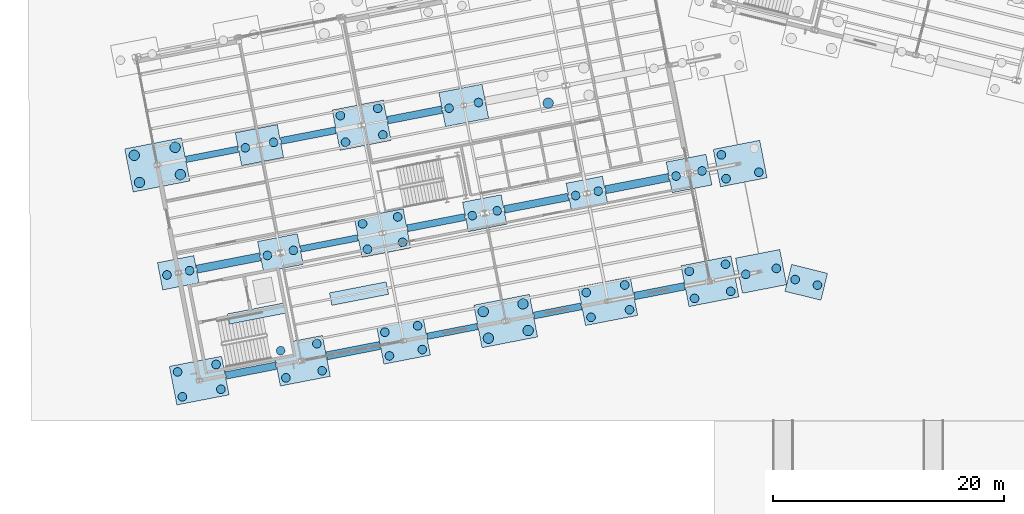
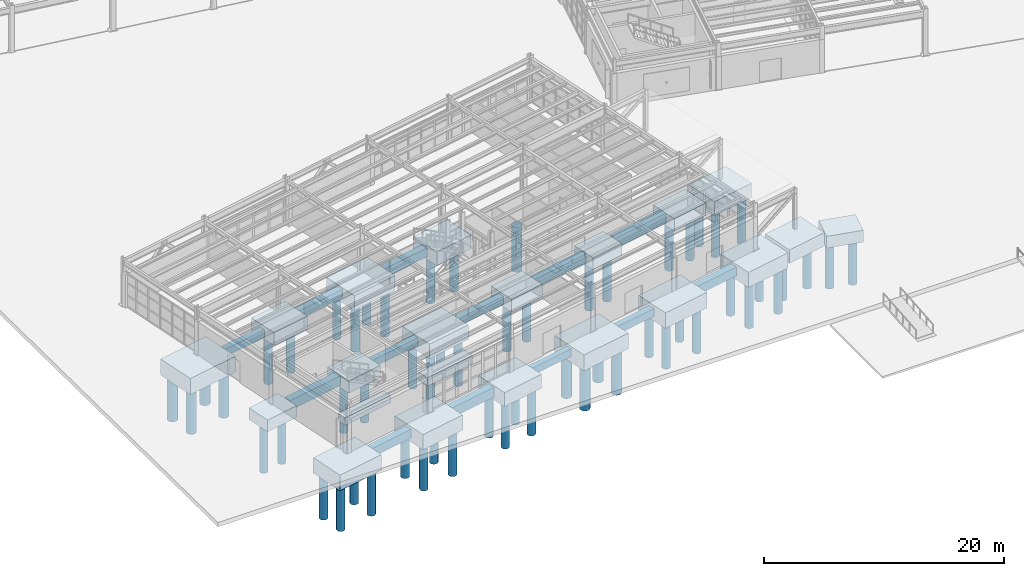
# One storey, part 1 of 108: 58 piles, 34 footings.
"""IFC4 building model written with IfcOpenShell, lengths in metres."""

from ifc_helpers import new_model, si_unit, direction, frame, origin, origin_2d, place, context, subcontext, project, spatial, rectangle, circle, extrude, material, material_profile, profile_set, type_object, element, save


model = new_model("IFC4")

# Units and contexts
model_context = context("Model", 3, precision=1e-05, world=origin(), true_north=direction((0.0, 1.0)))
body_context = subcontext(model_context, "Body", "Model", "MODEL_VIEW")
ifc_project = project(units=[si_unit("LENGTHUNIT", "METRE"), si_unit("AREAUNIT", "SQUARE_METRE"), si_unit("VOLUMEUNIT", "CUBIC_METRE"), si_unit("PLANEANGLEUNIT", "RADIAN"), si_unit("MASSUNIT", "GRAM", prefix="KILO")], contexts=[model_context])

# Site, building, storey
site_placement = place(None, origin())
site = spatial("IfcSite", under=ifc_project, at=site_placement, CompositionType="ELEMENT")
building_placement = place(site_placement, origin())
building = spatial("IfcBuilding", under=site, at=building_placement, Name="Vireo Bluff Cable Station", CompositionType="ELEMENT")
storey_placement = place(building_placement, origin())
storey = spatial("IfcBuildingStorey", under=building, at=storey_placement, Name="L00", CompositionType="ELEMENT", Elevation=0.0)

# Piles
ifc_material_1 = material(Name="Concrete f'c 45 MPa", Category="concrete")
ifc_material_profile_1 = material_profile(ifc_material_1, circle(Radius=0.375, at=origin_2d()), Name="BOREDPILE-750")
ifc_profile_set_1 = profile_set([ifc_material_profile_1], Name="Concrete f'c 45 MPa")
pile_type_1 = type_object("IfcPileType", Name="BOREDPILE-750", PredefinedType="BORED", material=ifc_profile_set_1)
for number, where, z_axis, x_axis, name in (
    (1, (8.045166015625, 4.101806640625, -1.89990234375), (0.0, 0.0, -1.0), (1.0, 0.0, 0.0), "V5 rock-socketed bored pile 257"),
    (2, (11.372802734375, 4.74853515625, -1.89990234375), (0.0, 0.0, -1.0), (1.0, 0.0, 0.0), "V5 rock-socketed bored pile 258"),
    (3, (10.954833984375, 6.898193359375, -1.89990234375), (0.0, 0.0, -1.0), (1.0, 0.0, 0.0), "V5 rock-socketed bored pile 259"),
    (4, (7.627197265625, 6.25146484375, -1.89990234375), (0.0, 0.0, -1.0), (1.0, 0.0, 0.0), "V5 rock-socketed bored pile 260"),
):
    element("IfcPile", number, at=place(storey_placement, frame(where, z_axis=z_axis, x_axis=x_axis)), inside=storey, type_object=pile_type_1, Name=name, PredefinedType="BORED", context=body_context, shape_type="SweptSolid", body=[
        extrude(circle(Radius=0.375, at=origin_2d()), origin(), (0.0, 0.0, 1.0), 4.60009765625),
    ])
for number, where, z_axis, x_axis, name in (
    (5, (6.710693359375, 14.635498046875, -1.5), (0.0, 0.0, -1.0), (1.0, 0.0, 0.0), "V5 rock-socketed bored pile 261"),
    (6, (8.6640625, 15.015380859375, -1.5), (0.0, 0.0, -1.0), (1.0, 0.0, 0.0), "V5 rock-socketed bored pile 262"),
):
    element("IfcPile", number, at=place(storey_placement, frame(where, z_axis=z_axis, x_axis=x_axis)), inside=storey, type_object=pile_type_1, Name=name, PredefinedType="BORED", context=body_context, shape_type="SweptSolid", body=[
        extrude(circle(Radius=0.375, at=origin_2d()), origin(), (0.0, 0.0, 1.0), 5.0),
    ])
for number, where, z_axis, x_axis, name in (
    (7, (16.9970703125, 5.739990234375, -1.85009765625), (0.0, 0.0, -1.0), (1.0, 0.0, 0.0), "V5 rock-socketed bored pile 269"),
    (8, (20.12841796875, 6.3486328125, -1.85009765625), (0.0, 0.0, -1.0), (1.0, 0.0, 0.0), "V5 rock-socketed bored pile 270"),
    (9, (19.67236328125, 8.694580078125, -1.85009765625), (0.0, 0.0, -1.0), (1.0, 0.0, 0.0), "V5 rock-socketed bored pile 271"),
    (10, (16.541015625, 8.0859375, -1.85009765625), (0.0, 0.0, -1.0), (1.0, 0.0, 0.0), "V5 rock-socketed bored pile 272"),
):
    element("IfcPile", number, at=place(storey_placement, frame(where, z_axis=z_axis, x_axis=x_axis)), inside=storey, type_object=pile_type_1, Name=name, PredefinedType="BORED", context=body_context, shape_type="SweptSolid", body=[
        extrude(circle(Radius=0.375, at=origin_2d()), origin(), (0.0, 0.0, 1.0), 4.64990234375),
    ])
for number, where, z_axis, x_axis, name in (
    (11, (15.39794921875, 16.32421875, -1.550048828125), (0.0, 0.0, -1.0), (1.0, 0.0, 0.0), "V5 rock-socketed bored pile 273"),
    (12, (17.64599609375, 16.76123046875, -1.550048828125), (0.0, 0.0, -1.0), (1.0, 0.0, 0.0), "V5 rock-socketed bored pile 274"),
):
    element("IfcPile", number, at=place(storey_placement, frame(where, z_axis=z_axis, x_axis=x_axis)), inside=storey, type_object=pile_type_1, Name=name, PredefinedType="BORED", context=body_context, shape_type="SweptSolid", body=[
        extrude(circle(Radius=0.375, at=origin_2d()), origin(), (0.0, 0.0, 1.0), 4.949951171875),
    ])
for number, where, z_axis, x_axis, name in (
    (13, (13.487060546875, 25.630615234375, -1.6201171875), (0.0, 0.0, -1.0), (1.0, 0.0, 0.0), "V5 rock-socketed bored pile 275"),
    (14, (15.931396484375, 26.105712890625, -1.6201171875), (0.0, 0.0, -1.0), (1.0, 0.0, 0.0), "V5 rock-socketed bored pile 276"),
):
    element("IfcPile", number, at=place(storey_placement, frame(where, z_axis=z_axis, x_axis=x_axis)), inside=storey, type_object=pile_type_1, Name=name, PredefinedType="BORED", context=body_context, shape_type="SweptSolid", body=[
        extrude(circle(Radius=0.375, at=origin_2d()), origin(), (0.0, 0.0, 1.0), 4.8798828125),
    ])
for number, where, z_axis, x_axis, name in (
    (15, (25.9501953125, 7.633056640625, -1.739990234375), (0.0, 0.0, -1.0), (1.0, 0.0, 0.0), "V5 rock-socketed bored pile 279"),
    (16, (28.787109375, 8.1845703125, -1.739990234375), (0.0, 0.0, -1.0), (1.0, 0.0, 0.0), "V5 rock-socketed bored pile 280"),
    (17, (28.388427734375, 10.236083984375, -1.739990234375), (0.0, 0.0, -1.0), (1.0, 0.0, 0.0), "V5 rock-socketed bored pile 281"),
    (18, (25.551513671875, 9.6845703125, -1.739990234375), (0.0, 0.0, -1.0), (1.0, 0.0, 0.0), "V5 rock-socketed bored pile 282"),
):
    element("IfcPile", number, at=place(storey_placement, frame(where, z_axis=z_axis, x_axis=x_axis)), inside=storey, type_object=pile_type_1, Name=name, PredefinedType="BORED", context=body_context, shape_type="SweptSolid", body=[
        extrude(circle(Radius=0.375, at=origin_2d()), origin(), (0.0, 0.0, 1.0), 4.760009765625),
    ])
for number, where, z_axis, x_axis, name in (
    (19, (24.0537109375, 16.86572265625, -1.780029296875), (0.0, 0.0, -1.0), (1.0, 0.0, 0.0), "V5 rock-socketed bored pile 283"),
    (20, (27.0869140625, 17.455322265625, -1.780029296875), (0.0, 0.0, -1.0), (1.0, 0.0, 0.0), "V5 rock-socketed bored pile 284"),
    (21, (26.659423828125, 19.654296875, -1.780029296875), (0.0, 0.0, -1.0), (1.0, 0.0, 0.0), "V5 rock-socketed bored pile 285"),
    (22, (23.626220703125, 19.064697265625, -1.780029296875), (0.0, 0.0, -1.0), (1.0, 0.0, 0.0), "V5 rock-socketed bored pile 286"),
):
    element("IfcPile", number, at=place(storey_placement, frame(where, z_axis=z_axis, x_axis=x_axis)), inside=storey, type_object=pile_type_1, Name=name, PredefinedType="BORED", context=body_context, shape_type="SweptSolid", body=[
        extrude(circle(Radius=0.375, at=origin_2d()), origin(), (0.0, 0.0, 1.0), 4.719970703125),
    ])
for number, where, z_axis, x_axis, name in (
    (23, (22.15234375, 26.123046875, -1.820068359375), (0.0, 0.0, -1.0), (1.0, 0.0, 0.0), "V5 rock-socketed bored pile 287"),
    (24, (25.3818359375, 26.7509765625, -1.820068359375), (0.0, 0.0, -1.0), (1.0, 0.0, 0.0), "V5 rock-socketed bored pile 288"),
    (25, (24.935546875, 29.0478515625, -1.820068359375), (0.0, 0.0, -1.0), (1.0, 0.0, 0.0), "V5 rock-socketed bored pile 289"),
    (26, (21.705810546875, 28.420166015625, -1.820068359375), (0.0, 0.0, -1.0), (1.0, 0.0, 0.0), "V5 rock-socketed bored pile 290"),
):
    element("IfcPile", number, at=place(storey_placement, frame(where, z_axis=z_axis, x_axis=x_axis)), inside=storey, type_object=pile_type_1, Name=name, PredefinedType="BORED", context=body_context, shape_type="SweptSolid", body=[
        extrude(circle(Radius=0.375, at=origin_2d()), origin(), (0.0, 0.0, 1.0), 4.679931640625),
    ])
for number, where, z_axis, x_axis, name in (
    (27, (33.116455078125, 19.768310546875, -1.60009765625), (0.0, 0.0, -1.0), (1.0, 0.0, 0.0), "V5 rock-socketed bored pile 299"),
    (28, (35.26611328125, 20.186279296875, -1.60009765625), (0.0, 0.0, -1.0), (1.0, 0.0, 0.0), "V5 rock-socketed bored pile 300"),
):
    element("IfcPile", number, at=place(storey_placement, frame(where, z_axis=z_axis, x_axis=x_axis)), inside=storey, type_object=pile_type_1, Name=name, PredefinedType="BORED", context=body_context, shape_type="SweptSolid", body=[
        extrude(circle(Radius=0.375, at=origin_2d()), origin(), (0.0, 0.0, 1.0), 4.89990234375),
    ])
for number, where, z_axis, x_axis, name in (
    (29, (31.107421875, 29.0556640625, -1.699951171875), (0.0, 0.0, -1.0), (1.0, 0.0, 0.0), "V5 rock-socketed bored pile 301"),
    (30, (33.649658203125, 29.5498046875, -1.699951171875), (0.0, 0.0, -1.0), (1.0, 0.0, 0.0), "V5 rock-socketed bored pile 302"),
):
    element("IfcPile", number, at=place(storey_placement, frame(where, z_axis=z_axis, x_axis=x_axis)), inside=storey, type_object=pile_type_1, Name=name, PredefinedType="BORED", context=body_context, shape_type="SweptSolid", body=[
        extrude(circle(Radius=0.375, at=origin_2d()), origin(), (0.0, 0.0, 1.0), 4.800048828125),
    ])
for number, where, z_axis, x_axis, name in (
    (31, (43.383544921875, 10.970703125, -1.89990234375), (0.0, 0.0, -1.0), (1.0, 0.0, 0.0), "V5 rock-socketed bored pile 307"),
    (32, (46.71142578125, 11.61767578125, -1.89990234375), (0.0, 0.0, -1.0), (1.0, 0.0, 0.0), "V5 rock-socketed bored pile 308"),
    (33, (46.29345703125, 13.767333984375, -1.89990234375), (0.0, 0.0, -1.0), (1.0, 0.0, 0.0), "V5 rock-socketed bored pile 309"),
    (34, (42.9658203125, 13.12060546875, -1.89990234375), (0.0, 0.0, -1.0), (1.0, 0.0, 0.0), "V5 rock-socketed bored pile 310"),
):
    element("IfcPile", number, at=place(storey_placement, frame(where, z_axis=z_axis, x_axis=x_axis)), inside=storey, type_object=pile_type_1, Name=name, PredefinedType="BORED", context=body_context, shape_type="SweptSolid", body=[
        extrude(circle(Radius=0.375, at=origin_2d()), origin(), (0.0, 0.0, 1.0), 4.60009765625),
    ])
for number, where, z_axis, x_axis, name in (
    (35, (42.049072265625, 21.504638671875, -1.5), (0.0, 0.0, -1.0), (1.0, 0.0, 0.0), "V5 rock-socketed bored pile 311"),
    (36, (44.002685546875, 21.884521484375, -1.5), (0.0, 0.0, -1.0), (1.0, 0.0, 0.0), "V5 rock-socketed bored pile 312"),
):
    element("IfcPile", number, at=place(storey_placement, frame(where, z_axis=z_axis, x_axis=x_axis)), inside=storey, type_object=pile_type_1, Name=name, PredefinedType="BORED", context=body_context, shape_type="SweptSolid", body=[
        extrude(circle(Radius=0.375, at=origin_2d()), origin(), (0.0, 0.0, 1.0), 5.0),
    ])
for number, where, z_axis, x_axis, name in (
    (37, (52.33544921875, 12.609130859375, -1.85009765625), (0.0, 0.0, -1.0), (1.0, 0.0, 0.0), "V5 rock-socketed bored pile 319"),
    (38, (55.467041015625, 13.2177734375, -1.85009765625), (0.0, 0.0, -1.0), (1.0, 0.0, 0.0), "V5 rock-socketed bored pile 320"),
    (39, (55.010986328125, 15.563720703125, -1.85009765625), (0.0, 0.0, -1.0), (1.0, 0.0, 0.0), "V5 rock-socketed bored pile 321"),
    (40, (51.87939453125, 14.955078125, -1.85009765625), (0.0, 0.0, -1.0), (1.0, 0.0, 0.0), "V5 rock-socketed bored pile 322"),
):
    element("IfcPile", number, at=place(storey_placement, frame(where, z_axis=z_axis, x_axis=x_axis)), inside=storey, type_object=pile_type_1, Name=name, PredefinedType="BORED", context=body_context, shape_type="SweptSolid", body=[
        extrude(circle(Radius=0.375, at=origin_2d()), origin(), (0.0, 0.0, 1.0), 4.64990234375),
    ])
for number, where, z_axis, x_axis, name in (
    (41, (50.736572265625, 23.193359375, -1.550048828125), (0.0, 0.0, -1.0), (1.0, 0.0, 0.0), "V5 rock-socketed bored pile 323"),
    (42, (52.984619140625, 23.63037109375, -1.550048828125), (0.0, 0.0, -1.0), (1.0, 0.0, 0.0), "V5 rock-socketed bored pile 324"),
):
    element("IfcPile", number, at=place(storey_placement, frame(where, z_axis=z_axis, x_axis=x_axis)), inside=storey, type_object=pile_type_1, Name=name, PredefinedType="BORED", context=body_context, shape_type="SweptSolid", body=[
        extrude(circle(Radius=0.375, at=origin_2d()), origin(), (0.0, 0.0, 1.0), 4.949951171875),
    ])
for number, where, z_axis, x_axis, name in (
    (43, (61.03466796875, 14.24072265625, -1.530029296875), (0.0, 0.0, -1.0), (1.0, 0.0, 0.0), "PLAZA rock-socketed bored pile 393"),
    (44, (62.96533203125, 13.75927734375, -1.530029296875), (0.0, 0.0, -1.0), (1.0, 0.0, 0.0), "PLAZA rock-socketed bored pile 394"),
):
    element("IfcPile", number, at=place(storey_placement, frame(where, z_axis=z_axis, x_axis=x_axis)), inside=storey, type_object=pile_type_1, Name=name, PredefinedType="BORED", context=body_context, shape_type="SweptSolid", body=[
        extrude(circle(Radius=0.375, at=origin_2d()), origin(), (0.0, 0.0, 1.0), 4.969970703125),
    ])
for number, where, z_axis, x_axis, name in (
    (45, (56.770263671875, 14.6884765625, -1.7099609375), (0.0, 0.0, -1.0), (1.0, 0.0, 0.0), "CANOPY rock-socketed bored pile 413"),
    (46, (59.410888671875, 15.20166015625, -1.7099609375), (0.0, 0.0, -1.0), (1.0, 0.0, 0.0), "CANOPY rock-socketed bored pile 414"),
):
    element("IfcPile", number, at=place(storey_placement, frame(where, z_axis=z_axis, x_axis=x_axis)), inside=storey, type_object=pile_type_1, Name=name, PredefinedType="BORED", context=body_context, shape_type="SweptSolid", body=[
        extrude(circle(Radius=0.375, at=origin_2d()), origin(), (0.0, 0.0, 1.0), 4.7900390625),
    ])
for number, where, z_axis, x_axis, name in (
    (47, (55.058837890625, 22.968994140625, -1.77001953125), (0.0, 0.0, -1.0), (1.0, 0.0, 0.0), "CANOPY rock-socketed bored pile 415"),
    (48, (57.895751953125, 23.5205078125, -1.77001953125), (0.0, 0.0, -1.0), (1.0, 0.0, 0.0), "CANOPY rock-socketed bored pile 416"),
    (49, (54.659912109375, 25.0205078125, -1.77001953125), (0.0, 0.0, -1.0), (1.0, 0.0, 0.0), "CANOPY rock-socketed bored pile 418"),
):
    element("IfcPile", number, at=place(storey_placement, frame(where, z_axis=z_axis, x_axis=x_axis)), inside=storey, type_object=pile_type_1, Name=name, PredefinedType="BORED", context=body_context, shape_type="SweptSolid", body=[
        extrude(circle(Radius=0.375, at=origin_2d()), origin(), (0.0, 0.0, 1.0), 4.72998046875),
    ])
ifc_material_profile_2 = material_profile(ifc_material_1, circle(Radius=0.449951171875, at=origin_2d()), Name="BOREDPILE-900")
ifc_profile_set_2 = profile_set([ifc_material_profile_2], Name="Concrete f'c 45 MPa")
pile_type_2 = type_object("IfcPileType", Name="BOREDPILE-900", PredefinedType="BORED", material=ifc_profile_set_2)
for number, where, z_axis, x_axis, name in (
    (50, (4.336669921875, 22.62939453125, -1.949951171875), (0.0, 0.0, -1.0), (1.0, 0.0, 0.0), "V5 rock-socketed bored pile 263"),
    (51, (7.87060546875, 23.31640625, -1.949951171875), (0.0, 0.0, -1.0), (1.0, 0.0, 0.0), "V5 rock-socketed bored pile 264"),
    (52, (7.41259765625, 25.67236328125, -1.949951171875), (0.0, 0.0, -1.0), (1.0, 0.0, 0.0), "V5 rock-socketed bored pile 265"),
    (53, (3.878662109375, 24.9853515625, -1.949951171875), (0.0, 0.0, -1.0), (1.0, 0.0, 0.0), "V5 rock-socketed bored pile 266"),
):
    element("IfcPile", number, at=place(storey_placement, frame(where, z_axis=z_axis, x_axis=x_axis)), inside=storey, type_object=pile_type_2, Name=name, PredefinedType="BORED", context=body_context, shape_type="SweptSolid", body=[
        extrude(circle(Radius=0.449951171875, at=origin_2d()), origin(), (0.0, 0.0, 1.0), 4.550048828125),
    ])
for number, where, z_axis, x_axis, name in (
    (54, (34.51025390625, 9.16455078125, -1.919921875), (0.0, 0.0, -1.0), (1.0, 0.0, 0.0), "V5 rock-socketed bored pile 295"),
    (55, (37.946044921875, 9.832275390625, -1.919921875), (0.0, 0.0, -1.0), (1.0, 0.0, 0.0), "V5 rock-socketed bored pile 296"),
    (56, (37.49755859375, 12.13916015625, -1.919921875), (0.0, 0.0, -1.0), (1.0, 0.0, 0.0), "V5 rock-socketed bored pile 297"),
    (57, (34.061767578125, 11.471435546875, -1.919921875), (0.0, 0.0, -1.0), (1.0, 0.0, 0.0), "V5 rock-socketed bored pile 298"),
):
    element("IfcPile", number, at=place(storey_placement, frame(where, z_axis=z_axis, x_axis=x_axis)), inside=storey, type_object=pile_type_2, Name=name, PredefinedType="BORED", context=body_context, shape_type="SweptSolid", body=[
        extrude(circle(Radius=0.449951171875, at=origin_2d()), origin(), (0.0, 0.0, 1.0), 4.580078125),
    ])
pile_placement = place(storey_placement, frame((39.67529296875, 29.49853515625, -1.949951171875), z_axis=(0.0, 0.0, -1.0), x_axis=(1.0, 0.0, 0.0)))
element("IfcPile", 58, at=pile_placement, inside=storey, type_object=pile_type_2, Name="V5 rock-socketed bored pile 313", PredefinedType="BORED", context=body_context, shape_type="SweptSolid", body=[
    extrude(circle(Radius=0.449951171875, at=origin_2d()), origin(), (0.0, 0.0, 1.0), 4.550048828125),
])

# Footings
ifc_material_2 = material(Name="Concrete f'c 40 MPa", Category="concrete")
ifc_material_profile_3 = material_profile(ifc_material_2, rectangle(XDim=0.550048828125, YDim=0.75, at=origin_2d()), Name="GRADEBM-550X750")
ifc_profile_set_3 = profile_set([ifc_material_profile_3], Name="Concrete f'c 40 MPa")
footing_type_1 = type_object("IfcFootingType", Name="GRADEBM-550X750", PredefinedType="FOOTING_BEAM", material=ifc_profile_set_3)
footing_1_placement = place(storey_placement, frame((29.220947265625, 9.333251953125, -0.989990234375), z_axis=(0.981620276504, 0.190844525087, 0.0), x_axis=(-0.190844525087, 0.981620276504, 0.0)))
element("IfcFooting", 59, at=footing_1_placement, inside=storey, type_object=footing_type_1, Name="V5 foundation grade beam 76", PredefinedType="FOOTING_BEAM", context=body_context, shape_type="SweptSolid", body=[
    extrude(rectangle(XDim=0.550048828125, YDim=0.75, at=origin_2d()), origin(), (0.0, 0.0, 1.0), 4.419921875),
])
footing_2_placement = place(storey_placement, frame((18.279052734375, 16.88427734375, -0.89501953125), z_axis=(0.981630573416, 0.190791554673, 0.0), x_axis=(-0.190791554673, 0.981630573416, 0.0)))
element("IfcFooting", 60, at=footing_2_placement, inside=storey, type_object=footing_type_1, Name="V5 foundation grade beam 80", PredefinedType="FOOTING_BEAM", context=body_context, shape_type="SweptSolid", body=[
    extrude(rectangle(XDim=0.550048828125, YDim=0.75, at=origin_2d()), origin(), (0.0, 0.0, 1.0), 5.02001953125),
])
footing_3_placement = place(storey_placement, frame((8.367919921875, 24.635498046875, -1.094970703125), z_axis=(0.98162456357, 0.190822472984, 0.0), x_axis=(-0.190822472984, 0.98162456357, 0.0)))
element("IfcFooting", 61, at=footing_3_placement, inside=storey, type_object=footing_type_1, Name="V5 foundation grade beam 84", PredefinedType="FOOTING_BEAM", context=body_context, shape_type="SweptSolid", body=[
    extrude(rectangle(XDim=0.550048828125, YDim=0.75, at=origin_2d()), origin(), (0.0, 0.0, 1.0), 4.570068359375),
])
ifc_material_profile_4 = material_profile(ifc_material_2, rectangle(XDim=0.60009765625, YDim=0.800048828125, at=origin_2d()), Name="GRADEBM-600X800")
ifc_profile_set_4 = profile_set([ifc_material_profile_4], Name="Concrete f'c 40 MPa")
footing_type_2 = type_object("IfcFootingType", Name="GRADEBM-600X800", PredefinedType="FOOTING_BEAM", material=ifc_profile_set_4)
footing_4_placement = place(storey_placement, frame((38.4482421875, 11.126953125, -1.080078125), z_axis=(0.981626967004, 0.190810108879, 0.0), x_axis=(-0.190810108879, 0.981626967004, 0.0)))
element("IfcFooting", 62, at=footing_4_placement, inside=storey, type_object=footing_type_2, Name="V5 foundation grade beam 77", PredefinedType="FOOTING_BEAM", context=body_context, shape_type="SweptSolid", body=[
    extrude(rectangle(XDim=0.60009765625, YDim=0.800048828125, at=origin_2d()), origin(), (0.0, 0.0, 1.0), 4.169921875),
])
footing_5_placement = place(storey_placement, frame((27.50634765625, 18.677978515625, -1.010009765625), z_axis=(0.981631175285, 0.190788458007, 0.0), x_axis=(-0.190788458007, 0.981631175285, 0.0)))
element("IfcFooting", 63, at=footing_5_placement, inside=storey, type_object=footing_type_2, Name="V5 foundation grade beam 81", PredefinedType="FOOTING_BEAM", context=body_context, shape_type="SweptSolid", body=[
    extrude(rectangle(XDim=0.60009765625, YDim=0.800048828125, at=origin_2d()), origin(), (0.0, 0.0, 1.0), 5.06982421875),
])
footing_6_placement = place(storey_placement, frame((16.564453125, 26.228759765625, -0.929931640625), z_axis=(0.981628040997, 0.190804583614, 0.0), x_axis=(-0.190804583614, 0.981628040997, 0.0)))
element("IfcFooting", 64, at=footing_6_placement, inside=storey, type_object=footing_type_2, Name="V5 foundation grade beam 85", PredefinedType="FOOTING_BEAM", context=body_context, shape_type="SweptSolid", body=[
    extrude(rectangle(XDim=0.60009765625, YDim=0.800048828125, at=origin_2d()), origin(), (0.0, 0.0, 1.0), 4.820068359375),
])
ifc_material_profile_5 = material_profile(ifc_material_2, rectangle(XDim=0.64990234375, YDim=0.89990234375, at=origin_2d()), Name="GRADEBM-650X900")
ifc_profile_set_5 = profile_set([ifc_material_profile_5], Name="Concrete f'c 40 MPa")
footing_type_3 = type_object("IfcFootingType", Name="GRADEBM-650X900", PredefinedType="FOOTING_BEAM", material=ifc_profile_set_5)
footing_7_placement = place(storey_placement, frame((11.797119140625, 5.946533203125, -1.070068359375), z_axis=(0.981630623134, 0.190791298875, 0.0), x_axis=(-0.190791298875, 0.981630623134, 0.0)))
element("IfcFooting", 65, at=footing_7_placement, inside=storey, type_object=footing_type_3, Name="V5 foundation grade beam 74", PredefinedType="FOOTING_BEAM", context=body_context, shape_type="SweptSolid", body=[
    extrude(rectangle(XDim=0.64990234375, YDim=0.89990234375, at=origin_2d()), origin(), (0.0, 0.0, 1.0), 4.419921875),
])
footing_8_placement = place(storey_placement, frame((47.135498046875, 12.815673828125, -1.070068359375), z_axis=(0.981632633698, 0.19078095413, 0.0), x_axis=(-0.19078095413, 0.981632633698, 0.0)))
element("IfcFooting", 66, at=footing_8_placement, inside=storey, type_object=footing_type_3, Name="V5 foundation grade beam 78", PredefinedType="FOOTING_BEAM", context=body_context, shape_type="SweptSolid", body=[
    extrude(rectangle(XDim=0.64990234375, YDim=0.89990234375, at=origin_2d()), origin(), (0.0, 0.0, 1.0), 4.420166015625),
])
footing_9_placement = place(storey_placement, frame((35.899169921875, 20.309326171875, -0.919921875), z_axis=(0.981630534317, 0.19079175584, 0.0), x_axis=(-0.19079175584, 0.981630534317, 0.0)))
element("IfcFooting", 67, at=footing_9_placement, inside=storey, type_object=footing_type_3, Name="V5 foundation grade beam 82", PredefinedType="FOOTING_BEAM", context=body_context, shape_type="SweptSolid", body=[
    extrude(rectangle(XDim=0.64990234375, YDim=0.89990234375, at=origin_2d()), origin(), (0.0, 0.0, 1.0), 5.6201171875),
])
footing_10_placement = place(storey_placement, frame((25.791748046875, 28.0224609375, -1.030029296875), z_axis=(0.98162737469, 0.190808011515, 0.0), x_axis=(-0.190808011515, 0.98162737469, 0.0)))
element("IfcFooting", 68, at=footing_10_placement, inside=storey, type_object=footing_type_3, Name="V5 foundation grade beam 86", PredefinedType="FOOTING_BEAM", context=body_context, shape_type="SweptSolid", body=[
    extrude(rectangle(XDim=0.64990234375, YDim=0.89990234375, at=origin_2d()), origin(), (0.0, 0.0, 1.0), 4.77001953125),
])
ifc_material_profile_6 = material_profile(ifc_material_2, rectangle(XDim=0.699951171875, YDim=1.0, at=origin_2d()), Name="GRADEBM-700X1000")
ifc_profile_set_6 = profile_set([ifc_material_profile_6], Name="Concrete f'c 40 MPa")
footing_type_4 = type_object("IfcFootingType", Name="GRADEBM-700X1000", PredefinedType="FOOTING_BEAM", material=ifc_profile_set_6)
footing_11_placement = place(storey_placement, frame((20.533447265625, 7.644775390625, -1.044921875), z_axis=(0.981625999247, 0.190815087461, 0.0), x_axis=(-0.190815087461, 0.981625999247, 0.0)))
element("IfcFooting", 69, at=footing_11_placement, inside=storey, type_object=footing_type_4, Name="V5 foundation grade beam 75", PredefinedType="FOOTING_BEAM", context=body_context, shape_type="SweptSolid", body=[
    extrude(rectangle(XDim=0.699951171875, YDim=1.0, at=origin_2d()), origin(), (0.0, 0.0, 1.0), 4.669921875),
])
for number, where, z_axis, x_axis, name in (
    (70, (9.297119140625, 15.138427734375, -0.8701171875), (0.981629986133, 0.190794576247, 0.0), (-0.190794576247, 0.981629986133, 0.0), "V5 foundation grade beam 79"),
    (71, (44.6357421875, 22.007568359375, -0.8701171875), (0.981629986133, 0.190794576247, 0.0), (-0.190794576247, 0.981629986133, 0.0), "V5 foundation grade beam 83"),
):
    element("IfcFooting", number, at=place(storey_placement, frame(where, z_axis=z_axis, x_axis=x_axis)), inside=storey, type_object=footing_type_4, Name=name, PredefinedType="FOOTING_BEAM", context=body_context, shape_type="SweptSolid", body=[
        extrude(rectangle(XDim=0.699951171875, YDim=1.0, at=origin_2d()), origin(), (0.0, 0.0, 1.0), 5.570068359375),
    ])
footing_type_5 = type_object("IfcFootingType", Name="PCAP-320X240X120", PredefinedType="PILE_CAP", material=ifc_material_2)
for number, where, z_axis, x_axis, name in (
    (72, (7.687255859375, 14.825439453125, -1.6201171875), (0.0, 0.0, 1.0), (0.981627183448, 0.190808995377, 0.0), "V5 pile cap 84"),
    (73, (43.02587890625, 21.694580078125, -1.6201171875), (0.0, 0.0, 1.0), (0.981627183448, 0.190808995377, 0.0), "V5 pile cap 100"),
    (74, (62.0, 14.0, -1.64990234375), (0.0, 0.0, 1.0), (0.970295726276, -0.2419218956, 0.0), "PLAZA pile cap 128"),
):
    element("IfcFooting", number, at=place(storey_placement, frame(where, z_axis=z_axis, x_axis=x_axis)), inside=storey, type_object=footing_type_5, Name=name, PredefinedType="PILE_CAP", context=body_context, shape_type="SweptSolid", body=[
        extrude(rectangle(XDim=3.199951171875, YDim=2.39990234375, at=origin_2d()), origin(), (0.0, 0.0, 1.0), 1.199951171875),
    ])
footing_type_6 = type_object("IfcFootingType", Name="PCAP-340X260X130", PredefinedType="PILE_CAP", material=ifc_material_2)
footing_12_placement = place(storey_placement, frame((34.191162109375, 19.977294921875, -1.72021484375), z_axis=(0.0, 0.0, 1.0), x_axis=(0.981627183448, 0.190808995377, 0.0)))
element("IfcFooting", 75, at=footing_12_placement, inside=storey, type_object=footing_type_6, Name="V5 pile cap 96", PredefinedType="PILE_CAP", context=body_context, shape_type="SweptSolid", body=[
    extrude(rectangle(XDim=3.39990234375, YDim=2.60009765625, at=origin_2d()), origin(), (0.0, 0.0, 1.0), 1.300048828125),
])
footing_type_7 = type_object("IfcFootingType", Name="PCAP-350X270X125", PredefinedType="PILE_CAP", material=ifc_material_2)
for number, where, z_axis, x_axis, name in (
    (76, (16.52197265625, 16.542724609375, -1.669921875), (0.0, 0.0, 1.0), (0.981627183448, 0.190808995377, 0.0), "V5 pile cap 88"),
    (77, (51.860595703125, 23.411865234375, -1.669921875), (0.0, 0.0, 1.0), (0.981627183448, 0.190808995377, 0.0), "V5 pile cap 104"),
):
    element("IfcFooting", number, at=place(storey_placement, frame(where, z_axis=z_axis, x_axis=x_axis)), inside=storey, type_object=footing_type_7, Name=name, PredefinedType="PILE_CAP", context=body_context, shape_type="SweptSolid", body=[
        extrude(rectangle(XDim=3.5, YDim=2.699951171875, at=origin_2d()), origin(), (0.0, 0.0, 1.0), 1.25),
    ])
footing_type_8 = type_object("IfcFootingType", Name="PCAP-370X290X132", PredefinedType="PILE_CAP", material=ifc_material_2)
footing_13_placement = place(storey_placement, frame((14.709228515625, 25.8681640625, -1.740234375), z_axis=(0.0, 0.0, 1.0), x_axis=(0.981627183448, 0.190808995377, 0.0)))
element("IfcFooting", 78, at=footing_13_placement, inside=storey, type_object=footing_type_8, Name="V5 pile cap 89", PredefinedType="PILE_CAP", context=body_context, shape_type="SweptSolid", body=[
    extrude(rectangle(XDim=3.699951171875, YDim=2.89990234375, at=origin_2d()), origin(), (0.0, 0.0, 1.0), 1.320068359375),
])
footing_type_9 = type_object("IfcFootingType", Name="PCAP-380X300X140", PredefinedType="PILE_CAP", material=ifc_material_2)
footing_14_placement = place(storey_placement, frame((32.378662109375, 29.302734375, -1.820068359375), z_axis=(0.0, 0.0, 1.0), x_axis=(0.981627183448, 0.190808995377, 0.0)))
element("IfcFooting", 79, at=footing_14_placement, inside=storey, type_object=footing_type_9, Name="V5 pile cap 97", PredefinedType="PILE_CAP", context=body_context, shape_type="SweptSolid", body=[
    extrude(rectangle(XDim=3.800048828125, YDim=3.0, at=origin_2d()), origin(), (0.0, 0.0, 1.0), 1.39990234375),
])
footing_type_10 = type_object("IfcFootingType", Name="PCAP-390X310X138", PredefinedType="PILE_CAP", material=ifc_material_2)
footing_15_placement = place(storey_placement, frame((58.090576171875, 14.945068359375, -1.829833984375), z_axis=(0.0, 0.0, 1.0), x_axis=(0.981627183448, 0.190808995377, 0.0)))
element("IfcFooting", 80, at=footing_15_placement, inside=storey, type_object=footing_type_10, Name="CANOPY pile cap 138", PredefinedType="PILE_CAP", context=body_context, shape_type="SweptSolid", body=[
    extrude(rectangle(XDim=3.89990234375, YDim=3.10009765625, at=origin_2d()), origin(), (0.0, 0.0, 1.0), 1.3798828125),
])
footing_type_11 = type_object("IfcFootingType", Name="PCAP-409X330X144", PredefinedType="PILE_CAP", material=ifc_material_2)
for number, where, z_axis, x_axis, name in (
    (81, (27.169189453125, 8.9345703125, -1.85986328125), (0.0, 0.0, 1.0), (0.981627183448, 0.190808995377, 0.0), "V5 pile cap 91"),
    (82, (56.27783203125, 24.2705078125, -1.889892578125), (0.0, 0.0, 1.0), (0.981627183448, 0.190808995377, 0.0), "CANOPY pile cap 139"),
):
    element("IfcFooting", number, at=place(storey_placement, frame(where, z_axis=z_axis, x_axis=x_axis)), inside=storey, type_object=footing_type_11, Name=name, PredefinedType="PILE_CAP", context=body_context, shape_type="SweptSolid", body=[
        extrude(rectangle(XDim=4.10009765625, YDim=3.300048828125, at=origin_2d()), origin(), (0.0, 0.0, 1.0), 1.43994140625),
    ])
footing_type_12 = type_object("IfcFootingType", Name="PCAP-430X345X148", PredefinedType="PILE_CAP", material=ifc_material_2)
footing_16_placement = place(storey_placement, frame((25.356689453125, 18.260009765625, -1.89990234375), z_axis=(0.0, 0.0, 1.0), x_axis=(0.981627183448, 0.190808995377, 0.0)))
element("IfcFooting", 83, at=footing_16_placement, inside=storey, type_object=footing_type_12, Name="V5 pile cap 92", PredefinedType="PILE_CAP", context=body_context, shape_type="SweptSolid", body=[
    extrude(rectangle(XDim=4.300048828125, YDim=3.449951171875, at=origin_2d()), origin(), (0.0, 0.0, 1.0), 1.47998046875),
])
footing_type_13 = type_object("IfcFootingType", Name="PCAP-440X360X155", PredefinedType="PILE_CAP", material=ifc_material_2)
for number, where, z_axis, x_axis, name in (
    (84, (18.334716796875, 7.21728515625, -1.97021484375), (0.0, 0.0, 1.0), (0.981627183448, 0.190808995377, 0.0), "V5 pile cap 87"),
    (85, (53.67333984375, 14.08642578125, -1.97021484375), (0.0, 0.0, 1.0), (0.981627183448, 0.190808995377, 0.0), "V5 pile cap 103"),
):
    element("IfcFooting", number, at=place(storey_placement, frame(where, z_axis=z_axis, x_axis=x_axis)), inside=storey, type_object=footing_type_13, Name=name, PredefinedType="PILE_CAP", context=body_context, shape_type="SweptSolid", body=[
        extrude(rectangle(XDim=4.39990234375, YDim=3.60009765625, at=origin_2d()), origin(), (0.0, 0.0, 1.0), 1.550048828125),
    ])
footing_type_14 = type_object("IfcFootingType", Name="PCAP-450X355X152", PredefinedType="PILE_CAP", material=ifc_material_2)
footing_17_placement = place(storey_placement, frame((23.5439453125, 27.58544921875, -1.93994140625), z_axis=(0.0, 0.0, 1.0), x_axis=(0.981627183448, 0.190808995377, 0.0)))
element("IfcFooting", 86, at=footing_17_placement, inside=storey, type_object=footing_type_14, Name="V5 pile cap 93", PredefinedType="PILE_CAP", context=body_context, shape_type="SweptSolid", body=[
    extrude(rectangle(XDim=4.5, YDim=3.550048828125, at=origin_2d()), origin(), (0.0, 0.0, 1.0), 1.52001953125),
])
footing_type_15 = type_object("IfcFootingType", Name="PCAP-459X340X160", PredefinedType="PILE_CAP", material=ifc_material_2)
for number, where, z_axis, x_axis, name in (
    (87, (9.5, 5.5, -2.02001953125), (0.0, 0.0, 1.0), (0.981627183448, 0.190808995377, 0.0), "V5 pile cap 83"),
    (88, (44.838623046875, 12.369140625, -2.02001953125), (0.0, 0.0, 1.0), (0.981627183448, 0.190808995377, 0.0), "V5 pile cap 99"),
):
    element("IfcFooting", number, at=place(storey_placement, frame(where, z_axis=z_axis, x_axis=x_axis)), inside=storey, type_object=footing_type_15, Name=name, PredefinedType="PILE_CAP", context=body_context, shape_type="SweptSolid", body=[
        extrude(rectangle(XDim=4.60009765625, YDim=3.39990234375, at=origin_2d()), origin(), (0.0, 0.0, 1.0), 1.60009765625),
    ])
footing_type_16 = type_object("IfcFootingType", Name="PCAP-490X375X162", PredefinedType="PILE_CAP", material=ifc_material_2)
footing_18_placement = place(storey_placement, frame((36.00390625, 10.65185546875, -2.0400390625), z_axis=(0.0, 0.0, 1.0), x_axis=(0.981627183448, 0.190808995377, 0.0)))
element("IfcFooting", 89, at=footing_18_placement, inside=storey, type_object=footing_type_16, Name="V5 pile cap 95", PredefinedType="PILE_CAP", context=body_context, shape_type="SweptSolid", body=[
    extrude(rectangle(XDim=4.89990234375, YDim=3.75, at=origin_2d()), origin(), (0.0, 0.0, 1.0), 1.6201171875),
])
footing_type_17 = type_object("IfcFootingType", Name="PCAP-500X380X165", PredefinedType="PILE_CAP", material=ifc_material_2)
footing_19_placement = place(storey_placement, frame((5.87451171875, 24.15087890625, -2.070068359375), z_axis=(0.0, 0.0, 1.0), x_axis=(0.981627183448, 0.190808995377, 0.0)))
element("IfcFooting", 90, at=footing_19_placement, inside=storey, type_object=footing_type_17, Name="V5 pile cap 85", PredefinedType="PILE_CAP", context=body_context, shape_type="SweptSolid", body=[
    extrude(rectangle(XDim=5.0, YDim=3.800048828125, at=origin_2d()), origin(), (0.0, 0.0, 1.0), 1.64990234375),
])
ifc_material_profile_7 = material_profile(ifc_material_2, rectangle(XDim=1.10009765625, YDim=0.85009765625, at=origin_2d()), Name="STRIPFTG-1100X850")
ifc_profile_set_7 = profile_set([ifc_material_profile_7], Name="Concrete f'c 40 MPa")
footing_type_18 = type_object("IfcFootingType", Name="STRIPFTG-1100X850", PredefinedType="STRIP_FOOTING", material=ifc_profile_set_7)
footing_20_placement = place(storey_placement, frame((20.864013671875, 12.5478515625, -0.844970703125), z_axis=(0.981625553083, 0.190817382683, 0.0), x_axis=(-0.190817382683, 0.981625553083, 0.0)))
element("IfcFooting", 91, at=footing_20_placement, inside=storey, type_object=footing_type_18, Name="V5 strip footing 2", PredefinedType="STRIP_FOOTING", context=body_context, shape_type="SweptSolid", body=[
    extrude(rectangle(XDim=1.10009765625, YDim=0.85009765625, at=origin_2d()), origin(), (0.0, 0.0, 1.0), 5.0),
])
ifc_material_profile_8 = material_profile(ifc_material_2, rectangle(XDim=0.89990234375, YDim=0.75, at=origin_2d()), Name="STRIPFTG-900X750")
ifc_profile_set_8 = profile_set([ifc_material_profile_8], Name="Concrete f'c 40 MPa")
footing_type_19 = type_object("IfcFootingType", Name="STRIPFTG-900X750", PredefinedType="STRIP_FOOTING", material=ifc_profile_set_8)
footing_21_placement = place(storey_placement, frame((12.029296875, 10.83056640625, -0.794921875), z_axis=(0.981625553083, 0.190817382683, 0.0), x_axis=(-0.190817382683, 0.981625553083, 0.0)))
element("IfcFooting", 92, at=footing_21_placement, inside=storey, type_object=footing_type_19, Name="V5 strip footing 1", PredefinedType="STRIP_FOOTING", context=body_context, shape_type="SweptSolid", body=[
    extrude(rectangle(XDim=0.89990234375, YDim=0.75, at=origin_2d()), origin(), (0.0, 0.0, 1.0), 5.0),
])

save(model, "model.ifc")
